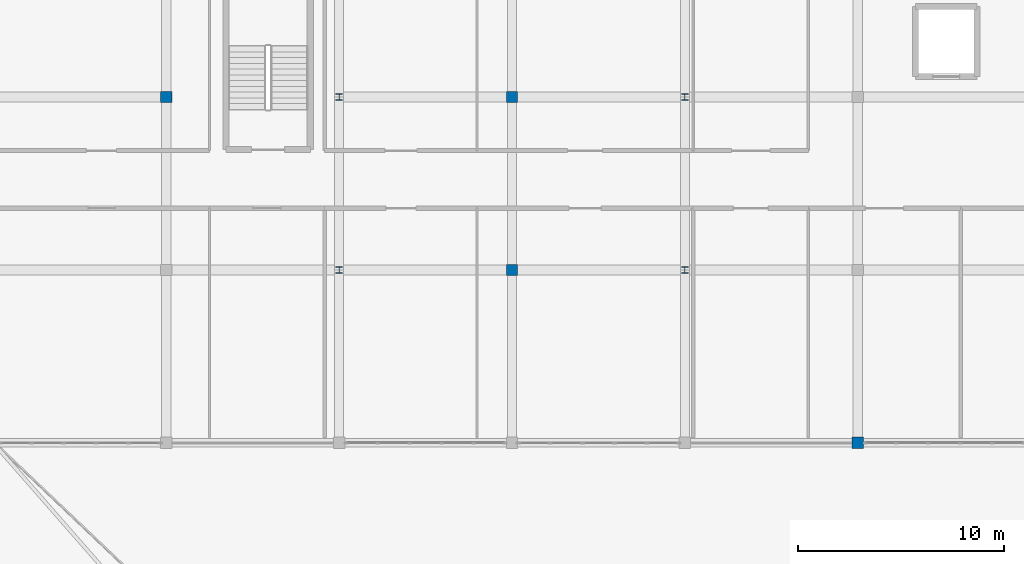
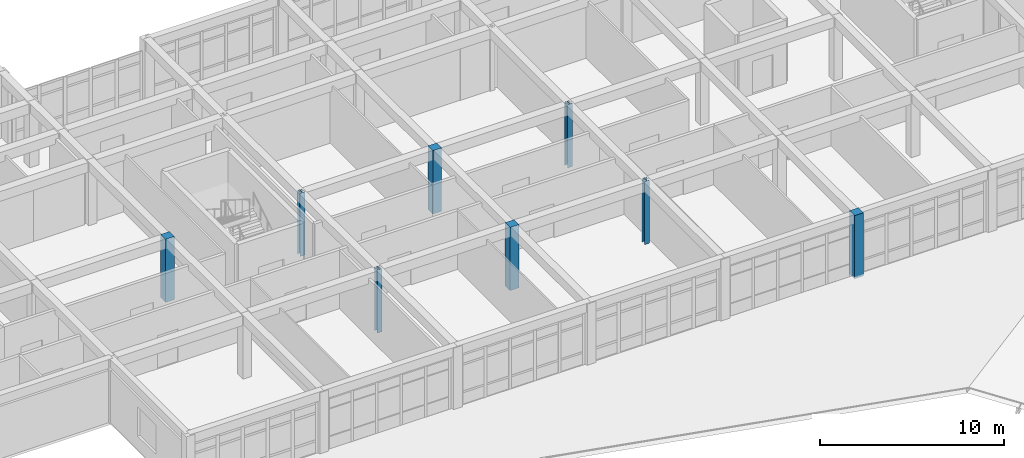
# One storey, part 2 of 77: 8 columns.
"""IFC4 building model written with IfcOpenShell, lengths in metres."""

from ifc_helpers import new_model, si_unit, direction, frame, origin, origin_2d, place, context, subcontext, project, spatial, rectangle, i_section, extrude, material, material_profile, profile_set, type_object, element, save


model = new_model("IFC4")

# Units and contexts
model_context = context("Model", 3, precision=1e-05, world=origin(), true_north=direction((0.0, 1.0)))
body_context = subcontext(model_context, "Body", "Model", "MODEL_VIEW")
ifc_project = project(units=[si_unit("LENGTHUNIT", "METRE"), si_unit("AREAUNIT", "SQUARE_METRE"), si_unit("VOLUMEUNIT", "CUBIC_METRE"), si_unit("PLANEANGLEUNIT", "RADIAN"), si_unit("MASSUNIT", "GRAM", prefix="KILO")], contexts=[model_context])

# Site, building, storey
site_placement = place(None, origin())
site = spatial("IfcSite", under=ifc_project, at=site_placement, CompositionType="ELEMENT")
building_placement = place(site_placement, origin())
building = spatial("IfcBuilding", under=site, at=building_placement, Name="Varncliffe General Hospital", CompositionType="ELEMENT")
storey_placement = place(building_placement, frame((0.0, 0.0, 16.199951171875)))
storey = spatial("IfcBuildingStorey", under=building, at=storey_placement, Name="L03", CompositionType="ELEMENT", Elevation=16.199951171875)

# Columns
ifc_material_1 = material(Name="Concrete C40/50 (CSA A23.1 40 MPa)", Category="concrete")
ifc_material_profile_1 = material_profile(ifc_material_1, rectangle(XDim=0.550048828125, YDim=0.550048828125, at=origin_2d()), Name="RC 550x550")
ifc_profile_set_1 = profile_set([ifc_material_profile_1], Name="Concrete C40/50 (CSA A23.1 40 MPa)")
column_type_1 = type_object("IfcColumnType", Name="Column C26 (Ext RC 550x550)", PredefinedType="COLUMN", material=ifc_profile_set_1)
column_placement = place(storey_placement, frame((100.800048828125, 74.39990234375, 0.0), z_axis=(0.0, 0.0, 1.0), x_axis=(1.0, 0.0, 0.0)))
element("IfcColumn", 1, at=column_placement, inside=storey, type_object=column_type_1, Name="L03 Column C26", PredefinedType="COLUMN", context=body_context, shape_type="SweptSolid", body=[
    extrude(rectangle(XDim=0.550048828125, YDim=0.550048828125, at=origin_2d()), origin(), (0.0, 0.0, 1.0), 4.199951171875),
])
ifc_material_2 = material(Name="Steel S355 (CSA G40.21 350W)", Category="steel")
ifc_material_profile_2 = material_profile(ifc_material_2, i_section(OverallWidth=0.304931640625, OverallDepth=0.30810546875, WebThickness=0.010009765625, FlangeThickness=0.015380859375, FilletRadius=0.014892578125, at=origin_2d()), Name="W310x97")
ifc_profile_set_2 = profile_set([ifc_material_profile_2], Name="Steel S355 (CSA G40.21 350W)")
column_type_2 = type_object("IfcColumnType", Name="Column C56 (Int W310x97)", PredefinedType="COLUMN", material=ifc_profile_set_2)
for number, where, z_axis, x_axis, name in (
    (2, (75.60009765625, 82.800048828125, 0.0), (0.0, 0.0, 1.0), (1.0, 0.0, 0.0), "L03 Column C56"),
    (3, (75.60009765625, 91.199951171875, 0.0), (0.0, 0.0, 1.0), (1.0, 0.0, 0.0), "L03 Column C56"),
    (4, (92.39990234375, 82.800048828125, 0.0), (0.0, 0.0, 1.0), (1.0, 0.0, 0.0), "L03 Column C56"),
    (5, (92.39990234375, 91.199951171875, 0.0), (0.0, 0.0, 1.0), (1.0, 0.0, 0.0), "L03 Column C56"),
):
    element("IfcColumn", number, at=place(storey_placement, frame(where, z_axis=z_axis, x_axis=x_axis)), inside=storey, type_object=column_type_2, Name=name, PredefinedType="COLUMN", context=body_context, shape_type="SweptSolid", body=[
        extrude(i_section(OverallWidth=0.304931640625, OverallDepth=0.30810546875, WebThickness=0.010009765625, FlangeThickness=0.015380859375, FilletRadius=0.014892578125, at=origin_2d()), origin(), (0.0, 0.0, 1.0), 4.199951171875),
    ])
ifc_material_profile_3 = material_profile(ifc_material_1, rectangle(XDim=0.550048828125, YDim=0.550048828125, at=origin_2d()), Name="RC 550x550")
ifc_profile_set_3 = profile_set([ifc_material_profile_3], Name="Concrete C40/50 (CSA A23.1 40 MPa)")
column_type_3 = type_object("IfcColumnType", Name="Column C85 (Int RC 550x550)", PredefinedType="COLUMN", material=ifc_profile_set_3)
for number, where, z_axis, x_axis, name in (
    (6, (67.199951171875, 91.199951171875, 0.0), (0.0, 0.0, 1.0), (1.0, 0.0, 0.0), "L03 Column C85"),
    (7, (84.0, 82.800048828125, 0.0), (0.0, 0.0, 1.0), (1.0, 0.0, 0.0), "L03 Column C85"),
    (8, (84.0, 91.199951171875, 0.0), (0.0, 0.0, 1.0), (1.0, 0.0, 0.0), "L03 Column C85"),
):
    element("IfcColumn", number, at=place(storey_placement, frame(where, z_axis=z_axis, x_axis=x_axis)), inside=storey, type_object=column_type_3, Name=name, PredefinedType="COLUMN", context=body_context, shape_type="SweptSolid", body=[
        extrude(rectangle(XDim=0.550048828125, YDim=0.550048828125, at=origin_2d()), origin(), (0.0, 0.0, 1.0), 4.199951171875),
    ])

save(model, "model.ifc")
